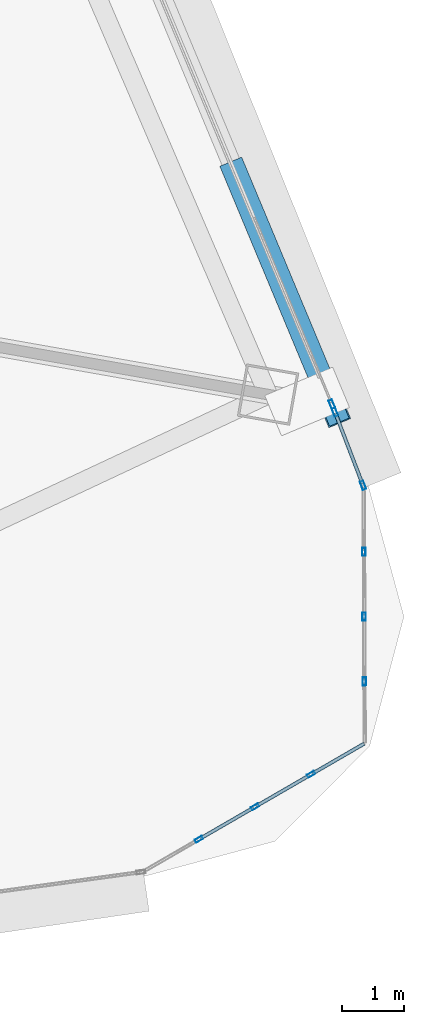
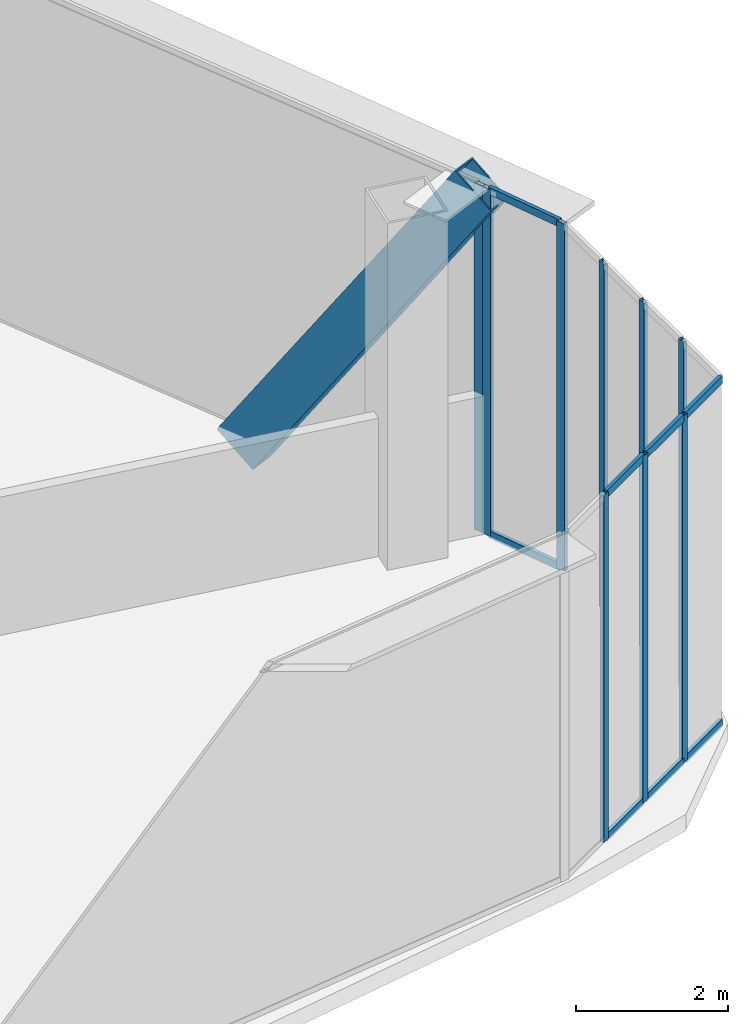
# One storey, part 27 of 38: 18 members, 4 elements without a shape of their own.
"""IFC4 building model written with IfcOpenShell, lengths in metres."""

from ifc_helpers import new_model, si_unit, direction, frame, origin, origin_2d, place, context, subcontext, project, spatial, hollow_rectangle, extrude, source, transform, mapped, material, layer, layer_set, material_profile, profile_set, type_object, element, aggregate, save


model = new_model("IFC4")

# Units and contexts
model_context = context("Model", 3, precision=1e-05, world=origin(), true_north=direction((0.0, 1.0)))
body_context = subcontext(model_context, "Body", "Model", "MODEL_VIEW")
ifc_project = project(units=[si_unit("LENGTHUNIT", "METRE"), si_unit("AREAUNIT", "SQUARE_METRE"), si_unit("VOLUMEUNIT", "CUBIC_METRE"), si_unit("PLANEANGLEUNIT", "RADIAN"), si_unit("MASSUNIT", "GRAM", prefix="KILO"), si_unit("THERMODYNAMICTEMPERATUREUNIT", "KELVIN"), si_unit("POWERUNIT", "WATT")], contexts=[model_context])

# Site, building, storey
site_placement = place(None, origin())
site = spatial("IfcSite", under=ifc_project, at=site_placement, CompositionType="ELEMENT")
building_placement = place(site_placement, origin())
building = spatial("IfcBuilding", under=site, at=building_placement, Name="Yunzhuo Pagoda Commons", CompositionType="ELEMENT")
storey_placement = place(building_placement, frame((0.0, 0.0, 266.909912109375)))
storey = spatial("IfcBuildingStorey", under=building, at=storey_placement, Name="L67", CompositionType="ELEMENT", Elevation=266.909912109375)

# Member
ifc_material_1 = material(Name="Structural steel Q355B", Category="steel")
ifc_material_profile_1 = material_profile(ifc_material_1, hollow_rectangle(XDim=0.3798828125, YDim=0.719970703125, WallThickness=0.02001953125, at=origin_2d()), Name="Structural steel Q355B")
ifc_profile_set_1 = profile_set([ifc_material_profile_1], Name="Structural steel Q355B")
member_type_1 = type_object("IfcMemberType", Name="M-DL3 Brace BOX 720x380x20", PredefinedType="BRACE", material=ifc_profile_set_1)
shared_shape_1 = source(origin(), body_context, "Body", "SweptSolid", [
    extrude(hollow_rectangle(XDim=0.3798828125, YDim=0.719970703125, WallThickness=0.02001953125, at=origin_2d()), origin(), (0.0, 0.0, 1.0), 7.037841796875),
])
member_1_placement = place(storey_placement, frame((79.45068359375, 31.52490234375, -0.260009765625), z_axis=(0.215596222046, -0.516945277705, 0.828423713385), x_axis=(0.922948604934, 0.384923203574, 0.0)))
element("IfcMember", 1, at=member_1_placement, inside=storey, type_object=member_type_1, Name="L67 facade diamond brace F2.1L", PredefinedType="BRACE", context=body_context, shape_type="MappedRepresentation", body=[
    mapped(shared_shape_1, transform((0.0, 0.0, 0.0), scale=1.0)),
])

# Curtain wall, members
ifc_material_2 = material(Name="Anodized aluminium 6063-T6", Category="aluminium")
ifc_layer_1 = layer(ifc_material_2, 0.139892578125)
ifc_layer_set_1 = layer_set([ifc_layer_1], Name="Anodized aluminium 6063-T6")
curtain_wall_type_1 = type_object("IfcCurtainWallType", Name="CW-HI High-Zone Ribbon Curtain Wall", PredefinedType="NOTDEFINED", material=ifc_layer_set_1)
curtain_wall_1_placement = place(storey_placement, origin())
curtain_wall_1 = element("IfcCurtainWall", 2, at=curtain_wall_1_placement, inside=storey, type_object=curtain_wall_type_1, Name="L67 curtain wall CW-L67-F2B1", PredefinedType="NOTDEFINED")
ifc_material_profile_2 = material_profile(ifc_material_2, hollow_rectangle(XDim=0.054931640625, YDim=0.1201171875, WallThickness=0.00341796875, at=origin_2d()), Name="Anodized aluminium 6063-T6")
ifc_profile_set_2 = profile_set([ifc_material_profile_2], Name="Anodized aluminium 6063-T6")
member_type_2 = type_object("IfcMemberType", Name="CW-HI-T Transom RHS 120x55x3.5", PredefinedType="USERDEFINED", material=ifc_profile_set_2)
shared_shape_2 = source(origin(), body_context, "Body", "SweptSolid", [
    extrude(hollow_rectangle(XDim=0.054931640625, YDim=0.1201171875, WallThickness=0.00341796875, at=origin_2d()), origin(), (0.0, 0.0, 1.0), 1.1962890625),
])
member_2_placement = place(storey_placement, frame((81.44482421875, 26.643798828125, 0.027587890625), z_axis=(-0.357980497641, 0.933729063117, 0.0), x_axis=(-0.933729063117, -0.357980497641, 0.0)))
member_2 = element("IfcMember", 3, at=member_2_placement, type_object=member_type_2, Name="CW transom 1.1", ObjectType="TRANSOM", PredefinedType="USERDEFINED", context=body_context, shape_type="MappedRepresentation", body=[
    mapped(shared_shape_2, transform((0.0, 0.0, 0.0), scale=1.0)),
])
member_3_placement = place(storey_placement, frame((81.44482421875, 26.643798828125, 5.54248046875), z_axis=(-0.357980497641, 0.933729063117, 0.0), x_axis=(-0.933729063117, -0.357980497641, 0.0)))
member_3 = element("IfcMember", 4, at=member_3_placement, type_object=member_type_2, Name="CW transom 1.2", ObjectType="TRANSOM", PredefinedType="USERDEFINED", context=body_context, shape_type="MappedRepresentation", body=[
    mapped(shared_shape_2, transform((0.0, 0.0, 0.0), scale=1.0)),
])

ifc_layer_2 = layer(ifc_material_2, 0.1298828125)
ifc_layer_set_2 = layer_set([ifc_layer_2], Name="Anodized aluminium 6063-T6")
curtain_wall_type_2 = type_object("IfcCurtainWallType", Name="CW-VTX Rounded Corner Curtain Wall", PredefinedType="NOTDEFINED", material=ifc_layer_set_2)
curtain_wall_2_placement = place(storey_placement, origin())
curtain_wall_2 = element("IfcCurtainWall", 5, at=curtain_wall_2_placement, inside=storey, type_object=curtain_wall_type_2, Name="L67 curtain wall CW-L67-VTX2S1", PredefinedType="NOTDEFINED")
ifc_material_profile_3 = material_profile(ifc_material_2, hollow_rectangle(XDim=0.054931640625, YDim=0.1201171875, WallThickness=0.00341796875, at=origin_2d()), Name="Anodized aluminium 6063-T6")
ifc_profile_set_3 = profile_set([ifc_material_profile_3], Name="Anodized aluminium 6063-T6")
member_type_3 = type_object("IfcMemberType", Name="CW-VTX-T Transom RHS 120x55x3.5", PredefinedType="USERDEFINED", material=ifc_profile_set_3)
shared_shape_3 = source(origin(), body_context, "Body", "SweptSolid", [
    extrude(hollow_rectangle(XDim=0.054931640625, YDim=0.1201171875, WallThickness=0.00341796875, at=origin_2d()), origin(), (0.0, 0.0, 1.0), 0.983154296875),
])
member_4_placement = place(storey_placement, frame((78.849365234375, 20.957763671875, 0.027587890625), z_axis=(0.865494289942, 0.500918789903, 0.0), x_axis=(-0.500918789903, 0.865494289942, 0.0)))
member_4 = element("IfcMember", 6, at=member_4_placement, type_object=member_type_3, Name="CW transom 2.1", ObjectType="TRANSOM", PredefinedType="USERDEFINED", context=body_context, shape_type="MappedRepresentation", body=[
    mapped(shared_shape_3, transform((0.0, 0.0, 0.0), scale=1.0)),
])
member_5_placement = place(storey_placement, frame((78.849365234375, 20.957763671875, 5.54248046875), z_axis=(0.865494289942, 0.500918789903, 0.0), x_axis=(-0.500918789903, 0.865494289942, 0.0)))
member_5 = element("IfcMember", 7, at=member_5_placement, type_object=member_type_3, Name="CW transom 2.2", ObjectType="TRANSOM", PredefinedType="USERDEFINED", context=body_context, shape_type="MappedRepresentation", body=[
    mapped(shared_shape_3, transform((0.0, 0.0, 0.0), scale=1.0)),
])
member_6_placement = place(storey_placement, frame((79.747802734375, 21.477783203125, 0.027587890625), z_axis=(0.865556585354, 0.500811139604, 0.0), x_axis=(-0.500811139604, 0.865556585354, 0.0)))
member_6 = element("IfcMember", 8, at=member_6_placement, type_object=member_type_3, Name="CW transom 3.1", ObjectType="TRANSOM", PredefinedType="USERDEFINED", context=body_context, shape_type="MappedRepresentation", body=[
    mapped(shared_shape_3, transform((0.0, 0.0, 0.0), scale=1.0)),
])
member_7_placement = place(storey_placement, frame((79.747802734375, 21.477783203125, 5.54248046875), z_axis=(0.865556585354, 0.500811139604, 0.0), x_axis=(-0.500811139604, 0.865556585354, 0.0)))
member_7 = element("IfcMember", 9, at=member_7_placement, type_object=member_type_3, Name="CW transom 3.2", ObjectType="TRANSOM", PredefinedType="USERDEFINED", context=body_context, shape_type="MappedRepresentation", body=[
    mapped(shared_shape_3, transform((0.0, 0.0, 0.0), scale=1.0)),
])
shared_shape_4 = source(origin(), body_context, "Body", "SweptSolid", [
    extrude(hollow_rectangle(XDim=0.054931640625, YDim=0.1201171875, WallThickness=0.00341796875, at=origin_2d()), origin(), (0.0, 0.0, 1.0), 0.955810546875),
])
member_8_placement = place(storey_placement, frame((80.646484375, 21.997802734375, 0.027587890625), z_axis=(0.865367988414, 0.501136951968, 0.0), x_axis=(-0.501136951968, 0.865367988414, 0.0)))
member_8 = element("IfcMember", 10, at=member_8_placement, type_object=member_type_3, Name="CW transom 4.1", ObjectType="TRANSOM", PredefinedType="USERDEFINED", context=body_context, shape_type="MappedRepresentation", body=[
    mapped(shared_shape_4, transform((0.0, 0.0, 0.0), scale=1.0)),
])
member_9_placement = place(storey_placement, frame((80.646484375, 21.997802734375, 5.54248046875), z_axis=(0.865367988414, 0.501136951968, 0.0), x_axis=(-0.501136951968, 0.865367988414, 0.0)))
member_9 = element("IfcMember", 11, at=member_9_placement, type_object=member_type_3, Name="CW transom 4.2", ObjectType="TRANSOM", PredefinedType="USERDEFINED", context=body_context, shape_type="MappedRepresentation", body=[
    mapped(shared_shape_4, transform((0.0, 0.0, 0.0), scale=1.0)),
])

# Curtain wall, member
curtain_wall_3_placement = place(storey_placement, origin())
curtain_wall_3 = element("IfcCurtainWall", 12, at=curtain_wall_3_placement, inside=storey, type_object=curtain_wall_type_1, Name="L67 curtain wall CW-L67-F2B2", PredefinedType="NOTDEFINED")
ifc_material_profile_4 = material_profile(ifc_material_2, hollow_rectangle(XDim=0.06005859375, YDim=0.139892578125, WallThickness=0.00341796875, at=origin_2d()), Name="Anodized aluminium 6063-T6")
ifc_profile_set_4 = profile_set([ifc_material_profile_4], Name="Anodized aluminium 6063-T6")
member_type_4 = type_object("IfcMemberType", Name="CW-HI-M Mullion RHS 140x60x3.5", PredefinedType="MULLION", material=ifc_profile_set_4)
shared_shape_5 = source(origin(), body_context, "Body", "SweptSolid", [
    extrude(hollow_rectangle(XDim=0.06005859375, YDim=0.139892578125, WallThickness=0.00341796875, at=origin_2d()), origin(), (0.0, 0.0, 1.0), 5.5703125),
])
member_10_placement = place(storey_placement, frame((80.95654296875, 27.91455078125, 0.0), z_axis=(0.0, 0.0, 1.0), x_axis=(-0.922909845486, -0.385016125772, 0.0)))
member_10 = element("IfcMember", 13, at=member_10_placement, type_object=member_type_4, Name="CW mullion 1", PredefinedType="MULLION", context=body_context, shape_type="MappedRepresentation", body=[
    mapped(shared_shape_5, transform((0.0, 0.0, 0.0), scale=1.0)),
])
aggregate(curtain_wall_3, [member_10])

# Member
member_11_placement = place(storey_placement, frame((81.45556640625, 26.61572265625, 0.0), z_axis=(0.0, 0.0, 1.0), x_axis=(-0.933674157634, -0.358123676077, 0.0)))
member_11 = element("IfcMember", 14, at=member_11_placement, type_object=member_type_4, Name="CW mullion 1", PredefinedType="MULLION", context=body_context, shape_type="MappedRepresentation", body=[
    mapped(shared_shape_5, transform((0.0, 0.0, 0.0), scale=1.0)),
])

member_12_placement = place(storey_placement, frame((81.005859375, 27.788818359375, 0.0), z_axis=(0.0, 0.0, 1.0), x_axis=(-0.933674157634, -0.358123676077, 0.0)))
member_12 = element("IfcMember", 15, at=member_12_placement, type_object=member_type_4, Name="CW mullion 2", PredefinedType="MULLION", context=body_context, shape_type="MappedRepresentation", body=[
    mapped(shared_shape_5, transform((0.0, 0.0, 0.0), scale=1.0)),
])

aggregate(curtain_wall_1, [member_11, member_12, member_2, member_3])

ifc_material_profile_5 = material_profile(ifc_material_2, hollow_rectangle(XDim=0.054931640625, YDim=0.1298828125, WallThickness=0.00341796875, at=origin_2d()), Name="Anodized aluminium 6063-T6")
ifc_profile_set_5 = profile_set([ifc_material_profile_5], Name="Anodized aluminium 6063-T6")
member_type_5 = type_object("IfcMemberType", Name="CW-VTX-M Mullion RHS 130x55x3.5", PredefinedType="MULLION", material=ifc_profile_set_5)
shared_shape_6 = source(origin(), body_context, "Body", "SweptSolid", [
    extrude(hollow_rectangle(XDim=0.054931640625, YDim=0.1298828125, WallThickness=0.00341796875, at=origin_2d()), origin(), (0.0, 0.0, 1.0), 5.5703125),
])
member_13_placement = place(storey_placement, frame((78.82568359375, 20.94384765625, 0.0), z_axis=(0.0, 0.0, 1.0), x_axis=(-0.501026778958, 0.865431780539, 0.0)))
member_13 = element("IfcMember", 16, at=member_13_placement, type_object=member_type_5, Name="CW mullion 2", PredefinedType="MULLION", context=body_context, shape_type="MappedRepresentation", body=[
    mapped(shared_shape_6, transform((0.0, 0.0, 0.0), scale=1.0)),
])

member_14_placement = place(storey_placement, frame((79.72412109375, 21.4638671875, 0.0), z_axis=(0.0, 0.0, 1.0), x_axis=(-0.501026778958, 0.865431780539, 0.0)))
member_14 = element("IfcMember", 17, at=member_14_placement, type_object=member_type_5, Name="CW mullion 3", PredefinedType="MULLION", context=body_context, shape_type="MappedRepresentation", body=[
    mapped(shared_shape_6, transform((0.0, 0.0, 0.0), scale=1.0)),
])

member_15_placement = place(storey_placement, frame((80.62255859375, 21.984130859375, 0.0), z_axis=(0.0, 0.0, 1.0), x_axis=(-0.501026778958, 0.865431780539, 0.0)))
member_15 = element("IfcMember", 18, at=member_15_placement, type_object=member_type_5, Name="CW mullion 4", PredefinedType="MULLION", context=body_context, shape_type="MappedRepresentation", body=[
    mapped(shared_shape_6, transform((0.0, 0.0, 0.0), scale=1.0)),
])

aggregate(curtain_wall_2, [member_13, member_14, member_15, member_4, member_5, member_6, member_7, member_8, member_9])

# Curtain wall, members
curtain_wall_4_placement = place(storey_placement, origin())
curtain_wall_4 = element("IfcCurtainWall", 19, at=curtain_wall_4_placement, inside=storey, type_object=curtain_wall_type_2, Name="L67 curtain wall CW-L67-VTX2S2", PredefinedType="NOTDEFINED")
member_16_placement = place(storey_placement, frame((81.4775390625, 23.473388671875, 0.0), z_axis=(0.0, 0.0, 1.0), x_axis=(-0.999993564023, -0.003587744782, 0.0)))
member_16 = element("IfcMember", 20, at=member_16_placement, type_object=member_type_5, Name="CW mullion 2", PredefinedType="MULLION", context=body_context, shape_type="MappedRepresentation", body=[
    mapped(shared_shape_6, transform((0.0, 0.0, 0.0), scale=1.0)),
])
member_17_placement = place(storey_placement, frame((81.473876953125, 24.511474609375, 0.0), z_axis=(0.0, 0.0, 1.0), x_axis=(-0.999993564023, -0.003587744782, 0.0)))
member_17 = element("IfcMember", 21, at=member_17_placement, type_object=member_type_5, Name="CW mullion 3", PredefinedType="MULLION", context=body_context, shape_type="MappedRepresentation", body=[
    mapped(shared_shape_6, transform((0.0, 0.0, 0.0), scale=1.0)),
])
member_18_placement = place(storey_placement, frame((81.47021484375, 25.5498046875, 0.0), z_axis=(0.0, 0.0, 1.0), x_axis=(-0.999993564023, -0.003587744782, 0.0)))
member_18 = element("IfcMember", 22, at=member_18_placement, type_object=member_type_5, Name="CW mullion 4", PredefinedType="MULLION", context=body_context, shape_type="MappedRepresentation", body=[
    mapped(shared_shape_6, transform((0.0, 0.0, 0.0), scale=1.0)),
])
aggregate(curtain_wall_4, [member_16, member_17, member_18])

save(model, "model.ifc")
